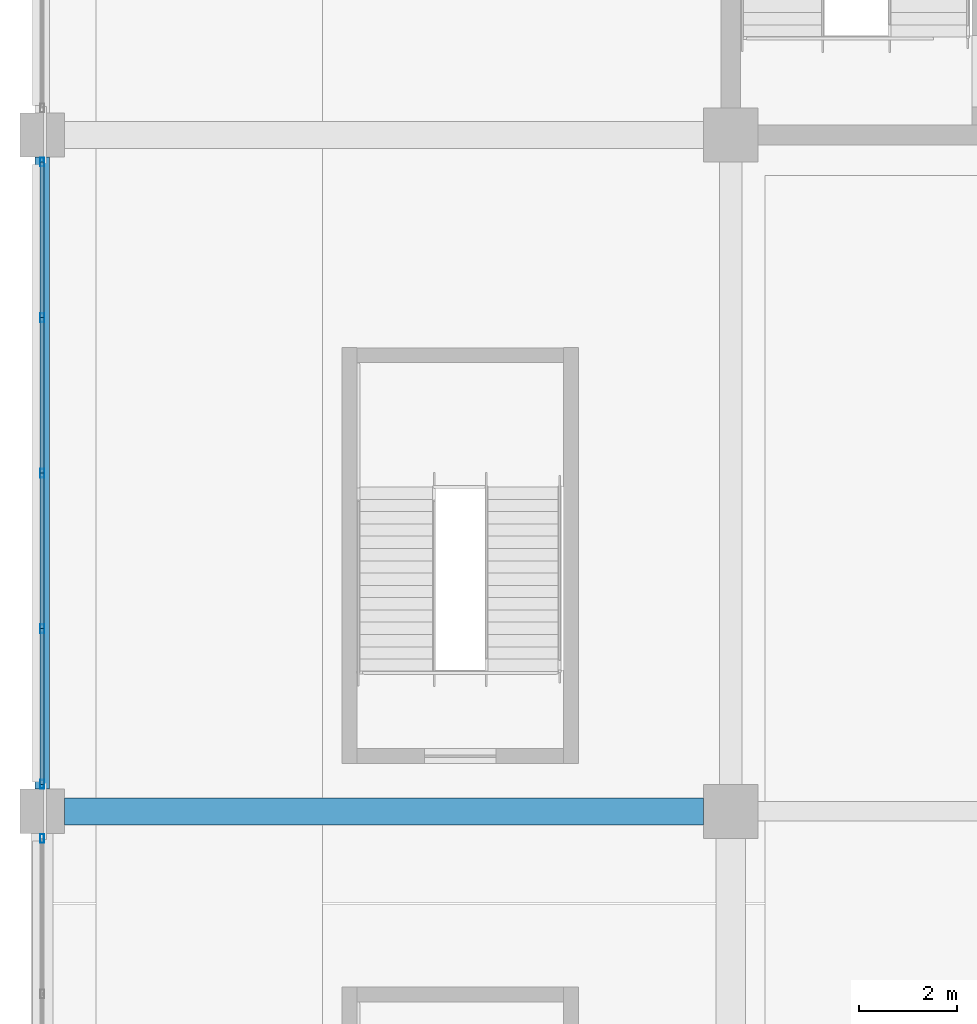
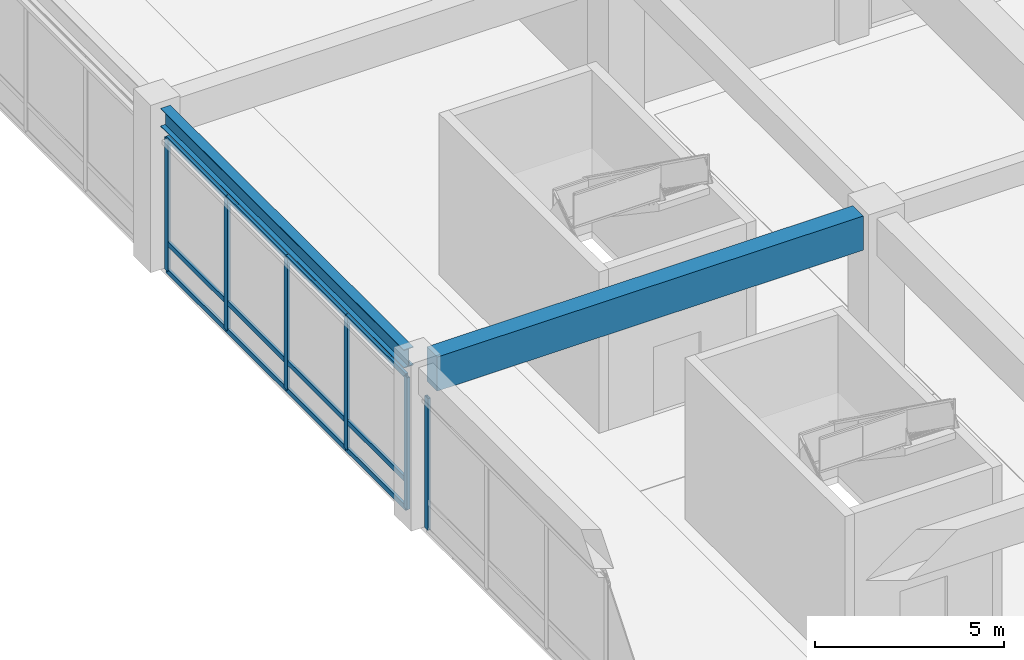
# One storey, part 41 of 117: 18 members, 2 beams, 2 elements without a shape of their own.
"""IFC4 building model written with IfcOpenShell, lengths in metres."""

from ifc_helpers import new_model, si_unit, direction, frame, origin, origin_2d, place, context, subcontext, project, spatial, rectangle, hollow_rectangle, i_section, extrude, material, material_profile, profile_set, type_object, element, aggregate, save


model = new_model("IFC4")

# Units and contexts
model_context = context("Model", 3, precision=1e-05, world=origin(), true_north=direction((0.0, 1.0)))
body_context = subcontext(model_context, "Body", "Model", "MODEL_VIEW")
ifc_project = project(units=[si_unit("LENGTHUNIT", "METRE"), si_unit("AREAUNIT", "SQUARE_METRE"), si_unit("VOLUMEUNIT", "CUBIC_METRE"), si_unit("PLANEANGLEUNIT", "RADIAN"), si_unit("MASSUNIT", "GRAM", prefix="KILO")], contexts=[model_context])

# Site, building, storey
site_placement = place(None, origin())
site = spatial("IfcSite", under=ifc_project, at=site_placement, CompositionType="ELEMENT")
building_placement = place(site_placement, origin())
building = spatial("IfcBuilding", under=site, at=building_placement, Name="Linyun Crest Stadium", CompositionType="ELEMENT")
storey_placement = place(building_placement, frame((0.0, 0.0, 6.0)))
storey = spatial("IfcBuildingStorey", under=building, at=storey_placement, Name="L02", CompositionType="ELEMENT", Elevation=6.0)

# Beam
ifc_material_1 = material(Name="Steel Q355C", Category="steel")
ifc_material_profile_1 = material_profile(ifc_material_1, i_section(OverallWidth=0.300048828125, OverallDepth=0.587890625, WebThickness=0.011962890625, FlangeThickness=0.02001953125, at=origin_2d()), Name="HM 588x300")
ifc_profile_set_1 = profile_set([ifc_material_profile_1], Name="Steel Q355C")
beam_type_1 = type_object("IfcBeamType", Name="B09", PredefinedType="BEAM", material=ifc_profile_set_1)
beam_1_placement = place(storey_placement, frame((-98.0, -11.175048828125, 4.906005859375), z_axis=(0.0, 1.0, 0.0), x_axis=(-1.0, 0.0, 0.0)))
element("IfcBeam", 1, at=beam_1_placement, inside=storey, type_object=beam_type_1, Name="Frame beam B09 L02 201", PredefinedType="BEAM", context=body_context, shape_type="SweptSolid", body=[
    extrude(i_section(OverallWidth=0.300048828125, OverallDepth=0.587890625, WebThickness=0.011962890625, FlangeThickness=0.02001953125, at=origin_2d()), origin(), (0.0, 0.0, 1.0), 12.85009765625),
])

# Curtain wall, member
ifc_material_2 = material(Name="Verdigris steel and low-E curtain wall assembly", Category="steel")
curtain_wall_type = type_object("IfcCurtainWallType", Name="MCW01", PredefinedType="NOTDEFINED", material=ifc_material_2)
curtain_wall_1_placement = place(storey_placement, origin())
curtain_wall_1 = element("IfcCurtainWall", 2, at=curtain_wall_1_placement, inside=storey, type_object=curtain_wall_type, Name="CWR-082", PredefinedType="NOTDEFINED")
ifc_material_3 = material(Name="Verdigris painted steel Q355B mullion", Category="steel")
ifc_material_profile_2 = material_profile(ifc_material_3, hollow_rectangle(XDim=0.080078125, YDim=0.179931640625, WallThickness=0.006103515625, at=origin_2d()), Name="RHS 180x80x6")
ifc_profile_set_2 = profile_set([ifc_material_profile_2], Name="Verdigris painted steel Q355B mullion")
member_type_1 = type_object("IfcMemberType", Name="ML02", PredefinedType="MULLION", material=ifc_profile_set_2)
member_1_placement = place(storey_placement, frame((-98.0, -12.175048828125, 0.0), z_axis=(0.0, 0.0, 1.0), x_axis=(-1.0, 0.0, 0.0)))
member_1 = element("IfcMember", 3, at=member_1_placement, type_object=member_type_1, Name="CWR-082 mullion 5", PredefinedType="MULLION", context=body_context, shape_type="SweptSolid", body=[
    extrude(hollow_rectangle(XDim=0.080078125, YDim=0.179931640625, WallThickness=0.006103515625, at=origin_2d()), origin(), (0.0, 0.0, 1.0), 4.25),
])
aggregate(curtain_wall_1, [member_1])

# Curtain wall, members
curtain_wall_2_placement = place(storey_placement, origin())
curtain_wall_2 = element("IfcCurtainWall", 4, at=curtain_wall_2_placement, inside=storey, type_object=curtain_wall_type, Name="CWR-091", PredefinedType="NOTDEFINED")
member_2_placement = place(storey_placement, frame((-98.0, -11.074951171875, 0.0), z_axis=(0.0, 0.0, 1.0), x_axis=(-1.0, 0.0, 0.0)))
member_2 = element("IfcMember", 5, at=member_2_placement, type_object=member_type_1, Name="CWR-091 mullion 1", PredefinedType="MULLION", context=body_context, shape_type="SweptSolid", body=[
    extrude(hollow_rectangle(XDim=0.080078125, YDim=0.179931640625, WallThickness=0.006103515625, at=origin_2d()), origin(), (0.0, 0.0, 1.0), 4.25),
])
member_3_placement = place(storey_placement, frame((-98.0, -7.912109375, 0.0), z_axis=(0.0, 0.0, 1.0), x_axis=(-1.0, 0.0, 0.0)))
member_3 = element("IfcMember", 6, at=member_3_placement, type_object=member_type_1, Name="CWR-091 mullion 2", PredefinedType="MULLION", context=body_context, shape_type="SweptSolid", body=[
    extrude(hollow_rectangle(XDim=0.080078125, YDim=0.179931640625, WallThickness=0.006103515625, at=origin_2d()), origin(), (0.0, 0.0, 1.0), 4.25),
])
member_4_placement = place(storey_placement, frame((-98.0, -4.75, 0.0), z_axis=(0.0, 0.0, 1.0), x_axis=(-1.0, 0.0, 0.0)))
member_4 = element("IfcMember", 7, at=member_4_placement, type_object=member_type_1, Name="CWR-091 mullion 3", PredefinedType="MULLION", context=body_context, shape_type="SweptSolid", body=[
    extrude(hollow_rectangle(XDim=0.080078125, YDim=0.179931640625, WallThickness=0.006103515625, at=origin_2d()), origin(), (0.0, 0.0, 1.0), 4.25),
])
member_5_placement = place(storey_placement, frame((-98.0, -1.587890625, 0.0), z_axis=(0.0, 0.0, 1.0), x_axis=(-1.0, 0.0, 0.0)))
member_5 = element("IfcMember", 8, at=member_5_placement, type_object=member_type_1, Name="CWR-091 mullion 4", PredefinedType="MULLION", context=body_context, shape_type="SweptSolid", body=[
    extrude(hollow_rectangle(XDim=0.080078125, YDim=0.179931640625, WallThickness=0.006103515625, at=origin_2d()), origin(), (0.0, 0.0, 1.0), 4.25),
])
member_6_placement = place(storey_placement, frame((-98.0, 1.574951171875, 0.0), z_axis=(0.0, 0.0, 1.0), x_axis=(-1.0, 0.0, 0.0)))
member_6 = element("IfcMember", 9, at=member_6_placement, type_object=member_type_1, Name="CWR-091 mullion 5", PredefinedType="MULLION", context=body_context, shape_type="SweptSolid", body=[
    extrude(hollow_rectangle(XDim=0.080078125, YDim=0.179931640625, WallThickness=0.006103515625, at=origin_2d()), origin(), (0.0, 0.0, 1.0), 4.25),
])

# Beam
ifc_material_4 = material(Name="Concrete C50", Category="concrete")
ifc_material_profile_3 = material_profile(ifc_material_4, rectangle(XDim=0.550048828125, YDim=1.10009765625, at=origin_2d()), Name="RCB 1100x550")
ifc_profile_set_3 = profile_set([ifc_material_profile_3], Name="Concrete C50")
beam_type_2 = type_object("IfcBeamType", Name="TB01", PredefinedType="USERDEFINED", material=ifc_profile_set_3)
beam_2_placement = place(storey_placement, frame((-97.550048828125, -11.625, 4.64990234375), z_axis=(1.0, 0.0, 0.0), x_axis=(0.0, 1.0, 0.0)))
element("IfcBeam", 10, at=beam_2_placement, inside=storey, type_object=beam_type_2, Name="Frame beam TB01 L02 179", ObjectType="GIRDER", PredefinedType="USERDEFINED", context=body_context, shape_type="SweptSolid", body=[
    extrude(rectangle(XDim=0.550048828125, YDim=1.10009765625, at=origin_2d()), origin(), (0.0, 0.0, 1.0), 13.0),
])

# Member
ifc_material_5 = material(Name="Aluminium thermally broken transom", Category="aluminium")
ifc_material_profile_4 = material_profile(ifc_material_5, hollow_rectangle(XDim=0.080078125, YDim=0.159912109375, WallThickness=0.006103515625, at=origin_2d()), Name="RHS 160x80x6")
ifc_profile_set_4 = profile_set([ifc_material_profile_4], Name="Aluminium thermally broken transom")
member_type_2 = type_object("IfcMemberType", Name="TR01", PredefinedType="USERDEFINED", material=ifc_profile_set_4)
member_7_placement = place(storey_placement, frame((-98.0, -11.074951171875, 0.0), z_axis=(0.0, 1.0, 0.0), x_axis=(-1.0, 0.0, 0.0)))
member_7 = element("IfcMember", 11, at=member_7_placement, type_object=member_type_2, Name="CWR-091 transom 1.1", ObjectType="TRANSOM", PredefinedType="USERDEFINED", context=body_context, shape_type="SweptSolid", body=[
    extrude(hollow_rectangle(XDim=0.080078125, YDim=0.159912109375, WallThickness=0.006103515625, at=origin_2d()), origin(), (0.0, 0.0, 1.0), 3.162841796875),
])

member_8_placement = place(storey_placement, frame((-98.0, -11.074951171875, 0.89990234375), z_axis=(0.0, 1.0, 0.0), x_axis=(-1.0, 0.0, 0.0)))
member_8 = element("IfcMember", 12, at=member_8_placement, type_object=member_type_2, Name="CWR-091 transom 1.2", ObjectType="TRANSOM", PredefinedType="USERDEFINED", context=body_context, shape_type="SweptSolid", body=[
    extrude(hollow_rectangle(XDim=0.080078125, YDim=0.159912109375, WallThickness=0.006103515625, at=origin_2d()), origin(), (0.0, 0.0, 1.0), 3.162841796875),
])

member_9_placement = place(storey_placement, frame((-98.0, -11.074951171875, 4.25), z_axis=(0.0, 1.0, 0.0), x_axis=(-1.0, 0.0, 0.0)))
member_9 = element("IfcMember", 13, at=member_9_placement, type_object=member_type_2, Name="CWR-091 transom 1.3", ObjectType="TRANSOM", PredefinedType="USERDEFINED", context=body_context, shape_type="SweptSolid", body=[
    extrude(hollow_rectangle(XDim=0.080078125, YDim=0.159912109375, WallThickness=0.006103515625, at=origin_2d()), origin(), (0.0, 0.0, 1.0), 3.162841796875),
])

member_10_placement = place(storey_placement, frame((-98.0, -7.912109375, 0.0), z_axis=(0.0, 1.0, 0.0), x_axis=(-1.0, 0.0, 0.0)))
member_10 = element("IfcMember", 14, at=member_10_placement, type_object=member_type_2, Name="CWR-091 transom 2.1", ObjectType="TRANSOM", PredefinedType="USERDEFINED", context=body_context, shape_type="SweptSolid", body=[
    extrude(hollow_rectangle(XDim=0.080078125, YDim=0.159912109375, WallThickness=0.006103515625, at=origin_2d()), origin(), (0.0, 0.0, 1.0), 3.162109375),
])

member_11_placement = place(storey_placement, frame((-98.0, -7.912109375, 0.89990234375), z_axis=(0.0, 1.0, 0.0), x_axis=(-1.0, 0.0, 0.0)))
member_11 = element("IfcMember", 15, at=member_11_placement, type_object=member_type_2, Name="CWR-091 transom 2.2", ObjectType="TRANSOM", PredefinedType="USERDEFINED", context=body_context, shape_type="SweptSolid", body=[
    extrude(hollow_rectangle(XDim=0.080078125, YDim=0.159912109375, WallThickness=0.006103515625, at=origin_2d()), origin(), (0.0, 0.0, 1.0), 3.162109375),
])

member_12_placement = place(storey_placement, frame((-98.0, -7.912109375, 4.25), z_axis=(0.0, 1.0, 0.0), x_axis=(-1.0, 0.0, 0.0)))
member_12 = element("IfcMember", 16, at=member_12_placement, type_object=member_type_2, Name="CWR-091 transom 2.3", ObjectType="TRANSOM", PredefinedType="USERDEFINED", context=body_context, shape_type="SweptSolid", body=[
    extrude(hollow_rectangle(XDim=0.080078125, YDim=0.159912109375, WallThickness=0.006103515625, at=origin_2d()), origin(), (0.0, 0.0, 1.0), 3.162109375),
])

member_13_placement = place(storey_placement, frame((-98.0, -4.75, 0.0), z_axis=(0.0, 1.0, 0.0), x_axis=(-1.0, 0.0, 0.0)))
member_13 = element("IfcMember", 17, at=member_13_placement, type_object=member_type_2, Name="CWR-091 transom 3.1", ObjectType="TRANSOM", PredefinedType="USERDEFINED", context=body_context, shape_type="SweptSolid", body=[
    extrude(hollow_rectangle(XDim=0.080078125, YDim=0.159912109375, WallThickness=0.006103515625, at=origin_2d()), origin(), (0.0, 0.0, 1.0), 3.162109375),
])

member_14_placement = place(storey_placement, frame((-98.0, -4.75, 0.89990234375), z_axis=(0.0, 1.0, 0.0), x_axis=(-1.0, 0.0, 0.0)))
member_14 = element("IfcMember", 18, at=member_14_placement, type_object=member_type_2, Name="CWR-091 transom 3.2", ObjectType="TRANSOM", PredefinedType="USERDEFINED", context=body_context, shape_type="SweptSolid", body=[
    extrude(hollow_rectangle(XDim=0.080078125, YDim=0.159912109375, WallThickness=0.006103515625, at=origin_2d()), origin(), (0.0, 0.0, 1.0), 3.162109375),
])

member_15_placement = place(storey_placement, frame((-98.0, -4.75, 4.25), z_axis=(0.0, 1.0, 0.0), x_axis=(-1.0, 0.0, 0.0)))
member_15 = element("IfcMember", 19, at=member_15_placement, type_object=member_type_2, Name="CWR-091 transom 3.3", ObjectType="TRANSOM", PredefinedType="USERDEFINED", context=body_context, shape_type="SweptSolid", body=[
    extrude(hollow_rectangle(XDim=0.080078125, YDim=0.159912109375, WallThickness=0.006103515625, at=origin_2d()), origin(), (0.0, 0.0, 1.0), 3.162109375),
])

member_16_placement = place(storey_placement, frame((-98.0, -1.587890625, 0.0), z_axis=(0.0, 1.0, 0.0), x_axis=(-1.0, 0.0, 0.0)))
member_16 = element("IfcMember", 20, at=member_16_placement, type_object=member_type_2, Name="CWR-091 transom 4.1", ObjectType="TRANSOM", PredefinedType="USERDEFINED", context=body_context, shape_type="SweptSolid", body=[
    extrude(hollow_rectangle(XDim=0.080078125, YDim=0.159912109375, WallThickness=0.006103515625, at=origin_2d()), origin(), (0.0, 0.0, 1.0), 3.162841796875),
])

member_17_placement = place(storey_placement, frame((-98.0, -1.587890625, 0.89990234375), z_axis=(0.0, 1.0, 0.0), x_axis=(-1.0, 0.0, 0.0)))
member_17 = element("IfcMember", 21, at=member_17_placement, type_object=member_type_2, Name="CWR-091 transom 4.2", ObjectType="TRANSOM", PredefinedType="USERDEFINED", context=body_context, shape_type="SweptSolid", body=[
    extrude(hollow_rectangle(XDim=0.080078125, YDim=0.159912109375, WallThickness=0.006103515625, at=origin_2d()), origin(), (0.0, 0.0, 1.0), 3.162841796875),
])

member_18_placement = place(storey_placement, frame((-98.0, -1.587890625, 4.25), z_axis=(0.0, 1.0, 0.0), x_axis=(-1.0, 0.0, 0.0)))
member_18 = element("IfcMember", 22, at=member_18_placement, type_object=member_type_2, Name="CWR-091 transom 4.3", ObjectType="TRANSOM", PredefinedType="USERDEFINED", context=body_context, shape_type="SweptSolid", body=[
    extrude(hollow_rectangle(XDim=0.080078125, YDim=0.159912109375, WallThickness=0.006103515625, at=origin_2d()), origin(), (0.0, 0.0, 1.0), 3.162841796875),
])

aggregate(curtain_wall_2, [member_2, member_3, member_4, member_5, member_6, member_7, member_8, member_9, member_10, member_11, member_12, member_13, member_14, member_15, member_16, member_17, member_18])

save(model, "model.ifc")
